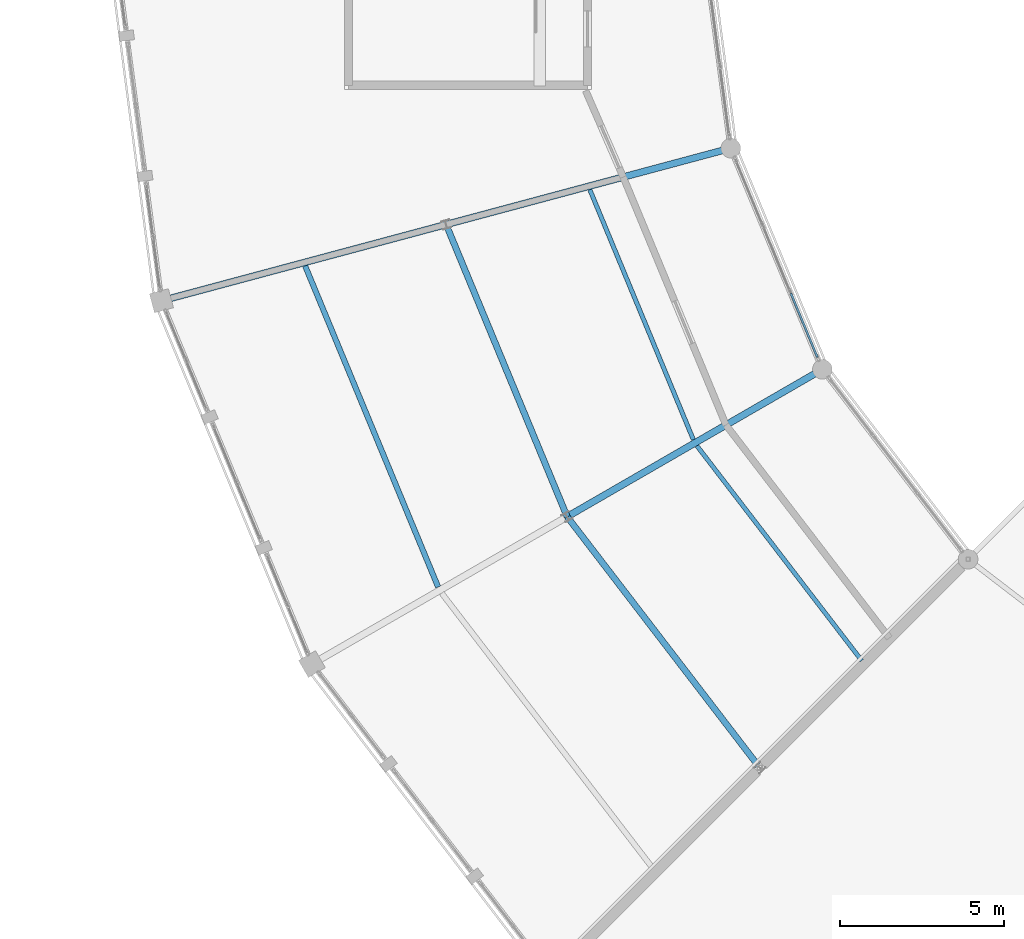
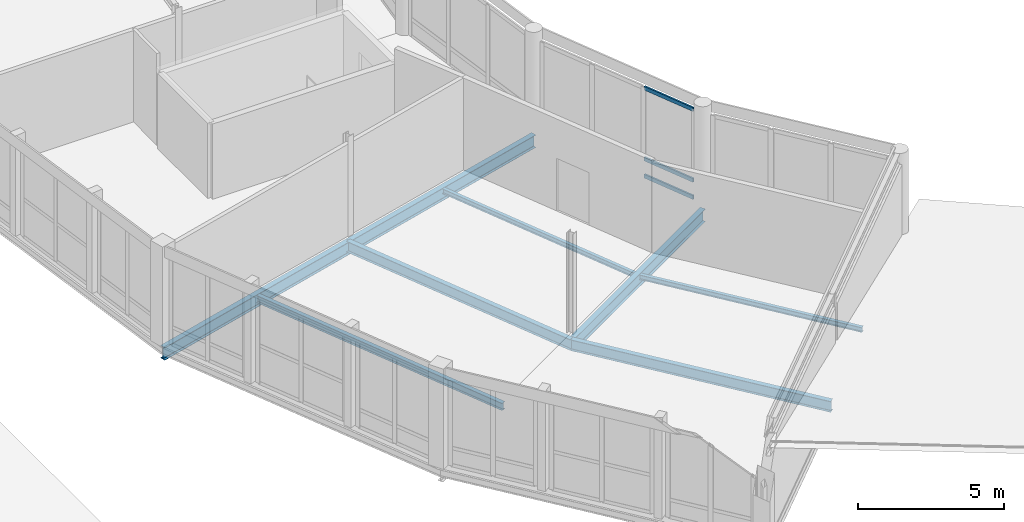
# One storey, part 39 of 200: 8 beams, 3 members, 1 element without a shape of its own.
"""IFC4 building model written with IfcOpenShell, lengths in metres."""

from ifc_helpers import new_model, si_unit, direction, frame, origin, origin_2d, place, context, subcontext, project, spatial, hollow_rectangle, i_section, extrude, material, material_profile, profile_set, type_object, element, aggregate, save


model = new_model("IFC4")

# Units and contexts
model_context = context("Model", 3, precision=1e-05, world=origin(), true_north=direction((0.0, 1.0)))
body_context = subcontext(model_context, "Body", "Model", "MODEL_VIEW")
ifc_project = project(units=[si_unit("LENGTHUNIT", "METRE"), si_unit("AREAUNIT", "SQUARE_METRE"), si_unit("VOLUMEUNIT", "CUBIC_METRE"), si_unit("PLANEANGLEUNIT", "RADIAN"), si_unit("MASSUNIT", "GRAM", prefix="KILO")], contexts=[model_context])

# Site, building, storey
site_placement = place(None, origin())
site = spatial("IfcSite", under=ifc_project, at=site_placement, CompositionType="ELEMENT")
building_placement = place(site_placement, origin())
building = spatial("IfcBuilding", under=site, at=building_placement, Name="Vondelvale Polytechnic", CompositionType="ELEMENT")
storey_placement = place(building_placement, frame((0.0, 0.0, 13.800048828125)))
storey = spatial("IfcBuildingStorey", under=building, at=storey_placement, Name="L03", CompositionType="ELEMENT", Elevation=13.800048828125)

# Beams
ifc_material_1 = material(Name="Steel 300PLUS (fy = 300 MPa)", Category="steel")
ifc_material_profile_1 = material_profile(ifc_material_1, i_section(OverallWidth=0.18994140625, OverallDepth=0.4541015625, WebThickness=0.008544921875, FlangeThickness=0.0126953125, FilletRadius=0.011474609375, at=origin_2d()), Name="460UB67.1")
ifc_profile_set_1 = profile_set([ifc_material_profile_1], Name="Steel 300PLUS (fy = 300 MPa)")
beam_type_1 = type_object("IfcBeamType", Name="BM-UB460L", PredefinedType="BEAM", material=ifc_profile_set_1)
for number, where, z_axis, x_axis, name in (
    (1, (66.2607421875, 62.423583984375, -0.47705078125), (0.38268516011, -0.923878816854, 0.0), (0.923878816854, 0.38268516011, 0.0), "L03 RB B-22"),
    (2, (69.95703125, 53.5, -0.47705078125), (0.60874775518, -0.793363832402, 0.0), (0.793363832402, 0.60874775518, 0.0), "L03 RB B-22"),
):
    element("IfcBeam", number, at=place(storey_placement, frame(where, z_axis=z_axis, x_axis=x_axis)), inside=storey, type_object=beam_type_1, Name=name, PredefinedType="BEAM", context=body_context, shape_type="SweptSolid", body=[
        extrude(i_section(OverallWidth=0.18994140625, OverallDepth=0.4541015625, WebThickness=0.008544921875, FlangeThickness=0.0126953125, FilletRadius=0.011474609375, at=origin_2d()), origin(), (0.0, 0.0, 1.0), 9.658935546875),
    ])
ifc_material_profile_2 = material_profile(ifc_material_1, i_section(OverallWidth=0.208984375, OverallDepth=0.532958984375, WebThickness=0.01025390625, FlangeThickness=0.015625, FilletRadius=0.013916015625, at=origin_2d()), Name="530UB92.4")
ifc_profile_set_2 = profile_set([ifc_material_profile_2], Name="Steel 300PLUS (fy = 300 MPa)")
beam_type_2 = type_object("IfcBeamType", Name="BM-UB530", PredefinedType="BEAM", material=ifc_profile_set_2)
beam_1_placement = place(storey_placement, frame((66.2607421875, 62.423583984375, -0.5166015625), z_axis=(-0.965926740751, -0.25881563226, 0.0), x_axis=(0.25881563226, -0.965926740751, 0.0)))
element("IfcBeam", 3, at=beam_1_placement, inside=storey, type_object=beam_type_2, Name="L03 RG B-11", PredefinedType="BEAM", context=body_context, shape_type="SweptSolid", body=[
    extrude(i_section(OverallWidth=0.208984375, OverallDepth=0.532958984375, WebThickness=0.01025390625, FlangeThickness=0.015625, FilletRadius=0.013916015625, at=origin_2d()), origin(), (0.0, 0.0, 1.0), 9.0),
])
ifc_material_profile_3 = material_profile(ifc_material_1, i_section(OverallWidth=0.208984375, OverallDepth=0.528076171875, WebThickness=0.009521484375, FlangeThickness=0.01318359375, FilletRadius=0.013916015625, at=origin_2d()), Name="530UB82.0")
ifc_profile_set_3 = profile_set([ifc_material_profile_3], Name="Steel 300PLUS (fy = 300 MPa)")
beam_type_3 = type_object("IfcBeamType", Name="BM-UB530L", PredefinedType="BEAM", material=ifc_profile_set_3)
for number, where, z_axis, x_axis, name in (
    (4, (74.9541015625, 64.753173828125, -0.51416015625), (-0.965919958881, -0.258840941576, 0.0), (0.258840941576, -0.965919958881, 0.0), "L03 RG B-21"),
    (5, (77.751220703125, 58.0, -0.51416015625), (-0.866024315419, -0.5000018851, 0.0), (0.5000018851, -0.866024315419, 0.0), "L03 RG B-21"),
):
    element("IfcBeam", number, at=place(storey_placement, frame(where, z_axis=z_axis, x_axis=x_axis)), inside=storey, type_object=beam_type_3, Name=name, PredefinedType="BEAM", context=body_context, shape_type="SweptSolid", body=[
        extrude(i_section(OverallWidth=0.208984375, OverallDepth=0.528076171875, WebThickness=0.009521484375, FlangeThickness=0.01318359375, FilletRadius=0.013916015625, at=origin_2d()), origin(), (0.0, 0.0, 1.0), 9.0),
    ])

# Curtain wall, members
ifc_material_2 = material(Name="Anodised extruded aluminium 6063-T6", Category="aluminium")
curtain_wall_type = type_object("IfcCurtainWallType", Name="CW-RING-CLOISTER", PredefinedType="NOTDEFINED", material=ifc_material_2)
curtain_wall_placement = place(storey_placement, origin())
curtain_wall = element("IfcCurtainWall", 6, at=curtain_wall_placement, inside=storey, type_object=curtain_wall_type, Name="L03 architectural curtain wall CW-03-287", PredefinedType="NOTDEFINED")
ifc_material_profile_4 = material_profile(ifc_material_2, hollow_rectangle(XDim=0.06494140625, YDim=0.159912109375, WallThickness=0.00341796875, at=origin_2d()), Name="CW-TRN-160x65")
ifc_profile_set_4 = profile_set([ifc_material_profile_4], Name="Anodised extruded aluminium 6063-T6")
member_type = type_object("IfcMemberType", Name="CW-TRN-70x160", PredefinedType="USERDEFINED", material=ifc_profile_set_4)
member_1_placement = place(storey_placement, frame((76.790283203125, 60.3203125, 0.032470703125), z_axis=(0.382627532503, -0.923902685011, 0.0), x_axis=(0.923902685011, 0.382627532503, 0.0)))
member_1 = element("IfcMember", 7, at=member_1_placement, type_object=member_type, Name="CW-03-287 transom 3.1", ObjectType="TRANSOM", PredefinedType="USERDEFINED", context=body_context, shape_type="SweptSolid", body=[
    extrude(hollow_rectangle(XDim=0.06494140625, YDim=0.159912109375, WallThickness=0.00341796875, at=origin_2d()), origin(), (0.0, 0.0, 1.0), 2.111328125),
])
member_2_placement = place(storey_placement, frame((76.790283203125, 60.3203125, 0.75), z_axis=(0.382627532503, -0.923902685011, 0.0), x_axis=(0.923902685011, 0.382627532503, 0.0)))
member_2 = element("IfcMember", 8, at=member_2_placement, type_object=member_type, Name="CW-03-287 transom 3.2", ObjectType="TRANSOM", PredefinedType="USERDEFINED", context=body_context, shape_type="SweptSolid", body=[
    extrude(hollow_rectangle(XDim=0.06494140625, YDim=0.159912109375, WallThickness=0.00341796875, at=origin_2d()), origin(), (0.0, 0.0, 1.0), 2.111328125),
])
member_3_placement = place(storey_placement, frame((76.790283203125, 60.3203125, 3.717529296875), z_axis=(0.382627532503, -0.923902685011, 0.0), x_axis=(0.923902685011, 0.382627532503, 0.0)))
member_3 = element("IfcMember", 9, at=member_3_placement, type_object=member_type, Name="CW-03-287 transom 3.3", ObjectType="TRANSOM", PredefinedType="USERDEFINED", context=body_context, shape_type="SweptSolid", body=[
    extrude(hollow_rectangle(XDim=0.06494140625, YDim=0.159912109375, WallThickness=0.00341796875, at=origin_2d()), origin(), (0.0, 0.0, 1.0), 2.111328125),
])
aggregate(curtain_wall, [member_1, member_2, member_3])

# Beams
ifc_material_profile_5 = material_profile(ifc_material_1, i_section(OverallWidth=0.133056640625, OverallDepth=0.202880859375, WebThickness=0.005859375, FlangeThickness=0.0078125, FilletRadius=0.0087890625, at=origin_2d()), Name="200UB25.4")
ifc_profile_set_5 = profile_set([ifc_material_profile_5], Name="Steel 300PLUS (fy = 300 MPa)")
beam_type_4 = type_object("IfcBeamType", Name="JST-UB200", PredefinedType="JOIST", material=ifc_profile_set_5)
beam_2_placement = place(storey_placement, frame((70.6494140625, 63.48681640625, -0.3515625), z_axis=(0.38268053388, -0.923880733098, 0.0), x_axis=(0.923880733098, 0.38268053388, 0.0)))
element("IfcBeam", 10, at=beam_2_placement, inside=storey, type_object=beam_type_4, Name="L03 RJ J-09", PredefinedType="JOIST", context=body_context, shape_type="SweptSolid", body=[
    extrude(i_section(OverallWidth=0.133056640625, OverallDepth=0.202880859375, WebThickness=0.005859375, FlangeThickness=0.0078125, FilletRadius=0.0087890625, at=origin_2d()), origin(), (0.0, 0.0, 1.0), 8.264404296875),
])
beam_3_placement = place(storey_placement, frame((73.921142578125, 55.66259765625, -0.3515625), z_axis=(0.608750899721, -0.793361419587, 0.0), x_axis=(0.793361419587, 0.608750899721, 0.0)))
element("IfcBeam", 11, at=beam_3_placement, inside=storey, type_object=beam_type_4, Name="L03 RJ J-09", PredefinedType="JOIST", context=body_context, shape_type="SweptSolid", body=[
    extrude(i_section(OverallWidth=0.133056640625, OverallDepth=0.202880859375, WebThickness=0.005859375, FlangeThickness=0.0078125, FilletRadius=0.0087890625, at=origin_2d()), origin(), (0.0, 0.0, 1.0), 8.26416015625),
])
ifc_material_profile_6 = material_profile(ifc_material_1, i_section(OverallWidth=0.1650390625, OverallDepth=0.303955078125, WebThickness=0.006103515625, FlangeThickness=0.01025390625, FilletRadius=0.011474609375, at=origin_2d()), Name="310UB40.4")
ifc_profile_set_6 = profile_set([ifc_material_profile_6], Name="Steel 300PLUS (fy = 300 MPa)")
beam_type_5 = type_object("IfcBeamType", Name="JST-UB310", PredefinedType="JOIST", material=ifc_profile_set_6)
beam_4_placement = place(storey_placement, frame((61.956298828125, 61.157470703125, -0.402099609375), z_axis=(0.382666002839, -0.923886751865, 0.0), x_axis=(0.923886751865, 0.382666002839, 0.0)))
element("IfcBeam", 12, at=beam_4_placement, inside=storey, type_object=beam_type_5, Name="L03 RJ J-05", PredefinedType="JOIST", context=body_context, shape_type="SweptSolid", body=[
    extrude(i_section(OverallWidth=0.1650390625, OverallDepth=0.303955078125, WebThickness=0.006103515625, FlangeThickness=0.01025390625, FilletRadius=0.011474609375, at=origin_2d()), origin(), (0.0, 0.0, 1.0), 10.61376953125),
])

save(model, "model.ifc")
